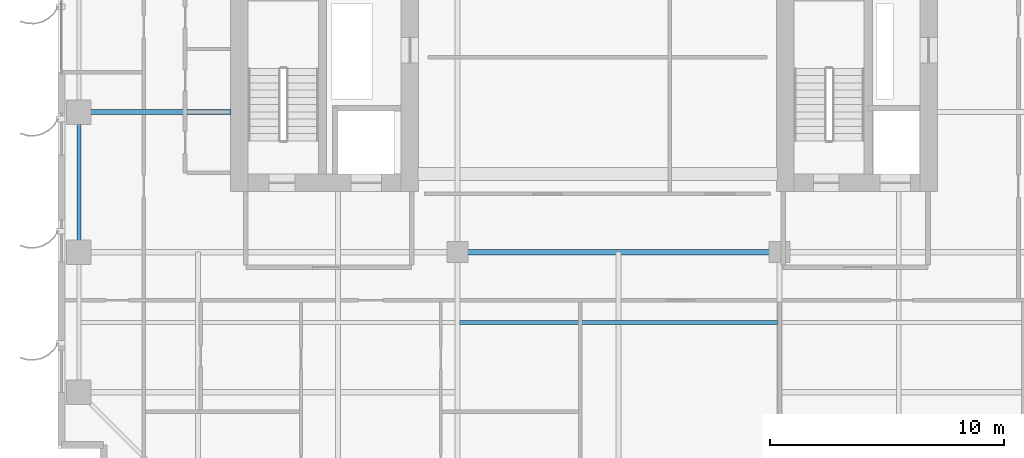
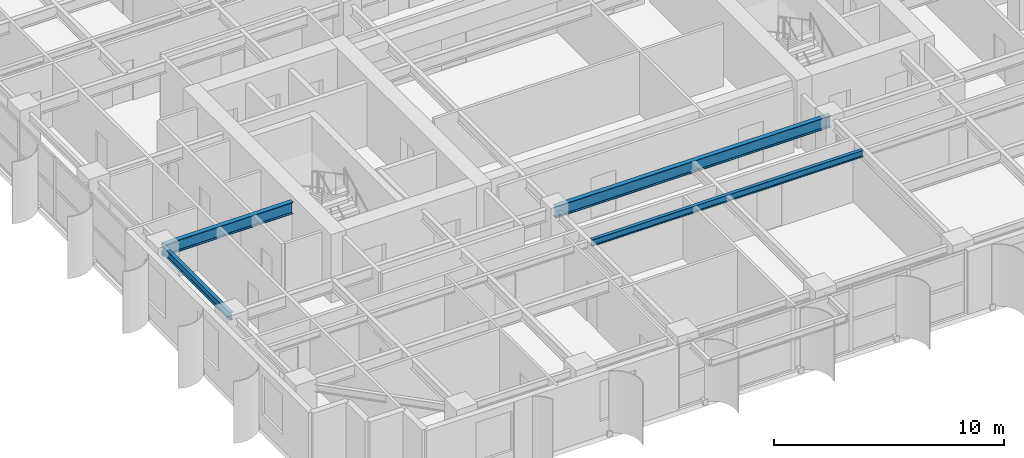
# One storey, part 4 of 23: 4 beams.
"""IFC4 building model written with IfcOpenShell, lengths in metres."""

import ifcopenshell
import ifcopenshell.guid

model = None  # the IFC model being written
_history = None  # IfcOwnerHistory: only IFC2X3 demands one
_inside = {}  # id of a spatial element -> (the spatial element, [elements in it])
_under = {}  # id of a project, library or spatial element -> (it, [spatial elements below it])
_declared = {}  # id of a project -> (the project, [libraries it declares])
_typed = {}  # id of a type object -> (the type object, [elements of that type])
_made_of = {}  # id of a material, layer set ... -> (it, [elements and type objects made of it])


def new_model(schema):
    """Start an empty IFC model of exactly this schema.

    Asked for "IFC4X3", IfcOpenShell would pick the latest addendum, in which some entities
    have other attributes; the version numbers below select the first issue.
    IFC2X3 requires an IfcOwnerHistory on every rooted entity: one is made here for all.
    """
    global model, _history
    if schema == "IFC4X3":
        model = ifcopenshell.file(schema_version=(4, 3, 0, 0))
    else:
        model = ifcopenshell.file(schema=schema)
    _inside.clear()
    _under.clear()
    _declared.clear()
    _typed.clear()
    _made_of.clear()
    _history = None
    if model.schema == "IFC2X3":
        org = make("IfcOrganization", Name="unknown")
        user = make(
            "IfcPersonAndOrganization",
            ThePerson=make("IfcPerson", FamilyName="unknown"),
            TheOrganization=org,
        )
        app = make(
            "IfcApplication",
            ApplicationDeveloper=org,
            Version="unknown",
            ApplicationFullName="unknown",
            ApplicationIdentifier="unknown",
        )
        _history = make(
            "IfcOwnerHistory",
            OwningUser=user,
            OwningApplication=app,
            ChangeAction="ADDED",
            CreationDate=0,
        )
    return model


def make(cls, **values):
    """One entity of the class cls with the attributes given. An attribute that is None is left unset."""
    return model.create_entity(
        cls, **{name: value for name, value in values.items() if value is not None}
    )


def rooted(cls, **values):
    """An entity with a GlobalId (a new one), such as an element, a storey or a relation."""
    return make(cls, GlobalId=ifcopenshell.guid.new(), OwnerHistory=_history, **values)


def si_unit(unit_type, name, prefix=None):
    """IfcSIUnit, for example si_unit("LENGTHUNIT", "METRE", prefix="MILLI")."""
    return make("IfcSIUnit", UnitType=unit_type, Prefix=prefix, Name=name)


def assignment(units):
    """IfcUnitAssignment: the units of a project."""
    return None if units is None else make("IfcUnitAssignment", Units=units)


def point(xyz):
    """IfcCartesianPoint."""
    return None if xyz is None else make("IfcCartesianPoint", Coordinates=xyz)


def direction(xyz):
    """IfcDirection."""
    return None if xyz is None else make("IfcDirection", DirectionRatios=xyz)


def frame(location, z_axis=None, x_axis=None):
    """IfcAxis2Placement3D, a coordinate frame: its origin and axes. An axis left out is left unset."""
    return make(
        "IfcAxis2Placement3D",
        Location=point(location),
        Axis=direction(z_axis),
        RefDirection=direction(x_axis),
    )


def frame_2d(location, x_axis=None):
    """IfcAxis2Placement2D, a coordinate frame in the plane: its origin and x axis."""
    return make(
        "IfcAxis2Placement2D", Location=point(location), RefDirection=direction(x_axis)
    )


def origin():
    """The frame at (0, 0, 0) with its axes left unset."""
    return frame((0.0, 0.0, 0.0))


def origin_2d():
    """The frame at (0, 0) in the plane with its x axis left unset."""
    return frame_2d((0.0, 0.0))


def place(relative_to, where):
    """IfcLocalPlacement: puts the frame where relative to a parent placement (None: the world)."""
    return make(
        "IfcLocalPlacement", PlacementRelTo=relative_to, RelativePlacement=where
    )


def context(
    kind, dimensions, precision=None, world=None, true_north=None, identifier=None
):
    """IfcGeometricRepresentationContext, for example the 3D "Model" context."""
    return make(
        "IfcGeometricRepresentationContext",
        ContextIdentifier=identifier,
        ContextType=kind,
        CoordinateSpaceDimension=dimensions,
        Precision=precision,
        WorldCoordinateSystem=world,
        TrueNorth=true_north,
    )


def subcontext(parent, identifier, kind, view, scale=None):
    """IfcGeometricRepresentationSubContext, for example "Body" below "Model"."""
    return make(
        "IfcGeometricRepresentationSubContext",
        ContextIdentifier=identifier,
        ContextType=kind,
        ParentContext=parent,
        TargetScale=scale,
        TargetView=view,
    )


def project(units=None, contexts=None):
    """IfcProject with its units and contexts."""
    return rooted(
        "IfcProject",
        Name="project",
        RepresentationContexts=contexts,
        UnitsInContext=assignment(units),
    )


def spatial(cls, under=None, at=None, **own):
    """A site, building, storey or space (cls), placed at a placement, below another one or the project."""
    s = rooted(cls, ObjectPlacement=at, **own)
    if under is not None:
        _under.setdefault(under.id(), (under, []))[1].append(s)
    return s


def profile(cls, at=None, kind="AREA", **sizes):
    """A parametric profile (cls). Its sizes go by their IFC names, for example OverallWidth=200.0."""
    return make(cls, ProfileType=kind, Position=at, **sizes)


def i_section(**sizes):
    """IfcIShapeProfileDef."""
    return profile("IfcIShapeProfileDef", **sizes)


def extrude(swept, where, along, depth):
    """IfcExtrudedAreaSolid: the profile swept, set in the frame where, extruded along a direction by depth."""
    return make(
        "IfcExtrudedAreaSolid",
        SweptArea=swept,
        Position=where,
        ExtrudedDirection=direction(along),
        Depth=depth,
    )


def shape(context_of_items, identifier, shape_type, items):
    """IfcShapeRepresentation: the items that make up one representation, for example the "Body"."""
    return make(
        "IfcShapeRepresentation",
        ContextOfItems=context_of_items,
        RepresentationIdentifier=identifier,
        RepresentationType=shape_type,
        Items=items,
    )


def source(mapping_origin, context_of_items, identifier, shape_type, items):
    """IfcRepresentationMap: a shape defined once, which mapped items show again and again."""
    return make(
        "IfcRepresentationMap",
        MappingOrigin=mapping_origin,
        MappedRepresentation=shape(context_of_items, identifier, shape_type, items),
    )


def transform(
    local_origin,
    x_axis=None,
    y_axis=None,
    z_axis=None,
    scale=None,
    scale2=None,
    scale3=None,
    uniform=True,
):
    """IfcCartesianTransformationOperator3D, or its non-uniform kind. x_axis, y_axis, z_axis: its Axis1, 2, 3."""
    if uniform:
        return make(
            "IfcCartesianTransformationOperator3D",
            Axis1=direction(x_axis),
            Axis2=direction(y_axis),
            LocalOrigin=point(local_origin),
            Scale=scale,
            Axis3=direction(z_axis),
        )
    return make(
        "IfcCartesianTransformationOperator3DnonUniform",
        Axis1=direction(x_axis),
        Axis2=direction(y_axis),
        LocalOrigin=point(local_origin),
        Scale=scale,
        Axis3=direction(z_axis),
        Scale2=scale2,
        Scale3=scale3,
    )


def mapped(mapping_source, mapping_target):
    """IfcMappedItem: shows the shape of a source again, moved by a transform."""
    return make(
        "IfcMappedItem", MappingSource=mapping_source, MappingTarget=mapping_target
    )


def material(Name=None, Category=None):
    """IfcMaterial."""
    return make("IfcMaterial", Name=Name, Category=Category)


def material_profile(
    of_material, cross_section, Name=None, Category=None, Priority=None
):
    """IfcMaterialProfile: a cross section and its material."""
    return make(
        "IfcMaterialProfile",
        Name=Name,
        Material=of_material,
        Profile=cross_section,
        Priority=Priority,
        Category=Category,
    )


def profile_set(profiles, Name=None, composite=None):
    """IfcMaterialProfileSet."""
    return make(
        "IfcMaterialProfileSet",
        Name=Name,
        MaterialProfiles=profiles,
        CompositeProfile=composite,
    )


def made_of(thing, what):
    """Note that an element or type object is made of a material, layer set ...; save() writes the relation."""
    if what is not None:
        _made_of.setdefault(what.id(), (what, []))[1].append(thing)
    return thing


def type_object(cls, material=None, **own):
    """A type object (cls), such as IfcWallType, which elements share."""
    return made_of(rooted(cls, **own), material)


def element(
    cls,
    number,
    at=None,
    inside=None,
    cuts=None,
    type_object=None,
    material=None,
    context=None,
    identifier="Body",
    shape_type=None,
    held_by="IfcProductDefinitionShape",
    body=None,
    shapes=None,
    **own,
):
    """One element of the class cls, such as IfcWall. Its Tag is "e" and its number.

    at: its placement. inside: the storey or other place that contains it. cuts: it is an
    opening in that element (IfcRelVoidsElement). A single representation is given by context,
    identifier, shape_type and body (its items); several are given by shapes. held_by: the class
    of the entity that holds the representations. save() writes the other relations.
    """
    e = rooted(cls, Tag="e%d" % number, ObjectPlacement=at, **own)
    if body is not None:
        shapes = [shape(context, identifier, shape_type, body)]
    if shapes is not None:
        e.Representation = make(held_by, Representations=shapes)
    if inside is not None:
        _inside.setdefault(inside.id(), (inside, []))[1].append(e)
    if cuts is not None:
        rooted(
            "IfcRelVoidsElement", RelatingBuildingElement=cuts, RelatedOpeningElement=e
        )
    if type_object is not None:
        _typed.setdefault(type_object.id(), (type_object, []))[1].append(e)
    return made_of(e, material)


def aggregate(whole, parts):
    """IfcRelAggregates: a whole, such as a stair, and the parts it consists of."""
    return rooted("IfcRelAggregates", RelatingObject=whole, RelatedObjects=parts)


def save(model, path):
    """Write the relations noted so far, then the file.

    IfcRelAggregates (storeys below a building ...), IfcRelContainedInSpatialStructure (elements
    in a storey), IfcRelDefinesByType, IfcRelAssociatesMaterial and IfcRelDeclares: one each for
    every whole, place, type object, material and project.
    """
    for whole, parts in _under.values():
        aggregate(whole, parts)
    for where, things in _inside.values():
        rooted(
            "IfcRelContainedInSpatialStructure",
            RelatedElements=things,
            RelatingStructure=where,
        )
    for kind, things in _typed.values():
        rooted("IfcRelDefinesByType", RelatedObjects=things, RelatingType=kind)
    for what, things in _made_of.values():
        rooted("IfcRelAssociatesMaterial", RelatedObjects=things, RelatingMaterial=what)
    for by, libraries in _declared.values():
        rooted("IfcRelDeclares", RelatingContext=by, RelatedDefinitions=libraries)
    model.write(path)


model = new_model("IFC4")

# Units and contexts
model_context = context("Model", 3, precision=1e-05, world=origin(), true_north=direction((0.0, 1.0)))
body_context = subcontext(model_context, "Body", "Model", "MODEL_VIEW")
ifc_project = project(units=[si_unit("LENGTHUNIT", "METRE"), si_unit("AREAUNIT", "SQUARE_METRE"), si_unit("VOLUMEUNIT", "CUBIC_METRE"), si_unit("PLANEANGLEUNIT", "RADIAN"), si_unit("MASSUNIT", "GRAM", prefix="KILO")], contexts=[model_context])

# Site, building, storey
site_placement = place(None, origin())
site = spatial("IfcSite", under=ifc_project, at=site_placement, CompositionType="ELEMENT")
building_placement = place(site_placement, origin())
building = spatial("IfcBuilding", under=site, at=building_placement, Name="Khoralis Quay Care Tower", CompositionType="ELEMENT")
storey_placement = place(building_placement, frame((0.0, 0.0, 119.699951171875)))
storey = spatial("IfcBuildingStorey", under=building, at=storey_placement, Name="L31", CompositionType="ELEMENT", Elevation=119.699951171875)

# Beams
ifc_material = material(Name="Steel S355", Category="steel")
ifc_material_profile_1 = material_profile(ifc_material, i_section(OverallWidth=0.179931640625, OverallDepth=0.39990234375, WebThickness=0.008544921875, FlangeThickness=0.013427734375, FilletRadius=0.02099609375, at=origin_2d()), Name="Steel S355")
ifc_profile_set_1 = profile_set([ifc_material_profile_1], Name="Steel S355")
beam_type_1 = type_object("IfcBeamType", Name="BM-IPE400", PredefinedType="SPANDREL", material=ifc_profile_set_1)
shared_shape_1 = source(origin(), body_context, "Body", "SweptSolid", [
    extrude(i_section(OverallWidth=0.179931640625, OverallDepth=0.39990234375, WebThickness=0.008544921875, FlangeThickness=0.013427734375, FilletRadius=0.02099609375, at=origin_2d()), origin(), (0.0, 0.0, 1.0), 6.0),
])
beam_1_placement = place(storey_placement, frame((0.89990234375, 12.0, 3.14013671875), z_axis=(0.0, 1.0, 0.0), x_axis=(-1.0, 0.0, 0.0)))
element("IfcBeam", 1, at=beam_1_placement, inside=storey, type_object=beam_type_1, Name="BM-TSP-L31-12", PredefinedType="SPANDREL", context=body_context, shape_type="MappedRepresentation", body=[
    mapped(shared_shape_1, transform((0.0, 0.0, 0.0), scale=1.0)),
])
ifc_material_profile_2 = material_profile(ifc_material, i_section(OverallWidth=0.22998046875, OverallDepth=0.616943359375, WebThickness=0.01318359375, FlangeThickness=0.022216796875, FilletRadius=0.01806640625, at=origin_2d()), Name="Steel S355")
ifc_profile_set_2 = profile_set([ifc_material_profile_2], Name="Steel S355")
beam_type_2 = type_object("IfcBeamType", Name="BM-W610X140", PredefinedType="BEAM", material=ifc_profile_set_2)
shared_shape_2 = source(origin(), body_context, "Body", "SweptSolid", [
    extrude(i_section(OverallWidth=0.22998046875, OverallDepth=0.616943359375, WebThickness=0.01318359375, FlangeThickness=0.022216796875, FilletRadius=0.01806640625, at=origin_2d()), origin(), (0.0, 0.0, 1.0), 6.502197265625),
])
beam_2_placement = place(storey_placement, frame((0.89990234375, 18.0, 3.031494140625), z_axis=(1.0, 0.0, 0.0), x_axis=(0.0, 1.0, 0.0)))
element("IfcBeam", 2, at=beam_2_placement, inside=storey, type_object=beam_type_2, Name="BM-TGXW-L31-180", PredefinedType="BEAM", context=body_context, shape_type="MappedRepresentation", body=[
    mapped(shared_shape_2, transform((0.0, 0.0, 0.0), scale=1.0)),
])
shared_shape_3 = source(origin(), body_context, "Body", "SweptSolid", [
    extrude(i_section(OverallWidth=0.22998046875, OverallDepth=0.616943359375, WebThickness=0.01318359375, FlangeThickness=0.022216796875, FilletRadius=0.01806640625, at=origin_2d()), origin(), (0.0, 0.0, 1.0), 13.7998046875),
])
beam_3_placement = place(storey_placement, frame((17.10009765625, 12.0, 3.031494140625), z_axis=(1.0, 0.0, 0.0), x_axis=(0.0, 1.0, 0.0)))
element("IfcBeam", 3, at=beam_3_placement, inside=storey, type_object=beam_type_2, Name="BM-TGCC-L31-120", PredefinedType="BEAM", context=body_context, shape_type="MappedRepresentation", body=[
    mapped(shared_shape_3, transform((0.0, 0.0, 0.0), scale=1.0)),
])
ifc_material_profile_3 = material_profile(ifc_material, i_section(OverallWidth=0.1708984375, OverallDepth=0.35498046875, WebThickness=0.007080078125, FlangeThickness=0.01171875, FilletRadius=0.012939453125, at=origin_2d()), Name="Steel S355")
ifc_profile_set_3 = profile_set([ifc_material_profile_3], Name="Steel S355")
beam_type_3 = type_object("IfcBeamType", Name="BM-W360X51", PredefinedType="JOIST", material=ifc_profile_set_3)
shared_shape_4 = source(origin(), body_context, "Body", "SweptSolid", [
    extrude(i_section(OverallWidth=0.1708984375, OverallDepth=0.35498046875, WebThickness=0.007080078125, FlangeThickness=0.01171875, FilletRadius=0.012939453125, at=origin_2d()), origin(), (0.0, 0.0, 1.0), 13.61181640625),
])
beam_4_placement = place(storey_placement, frame((17.194091796875, 9.0, 3.16259765625), z_axis=(1.0, 0.0, 0.0), x_axis=(0.0, 1.0, 0.0)))
element("IfcBeam", 4, at=beam_4_placement, inside=storey, type_object=beam_type_3, Name="BM-TJS-L31-27", PredefinedType="JOIST", context=body_context, shape_type="MappedRepresentation", body=[
    mapped(shared_shape_4, transform((0.0, 0.0, 0.0), scale=1.0)),
])

save(model, "model.ifc")
